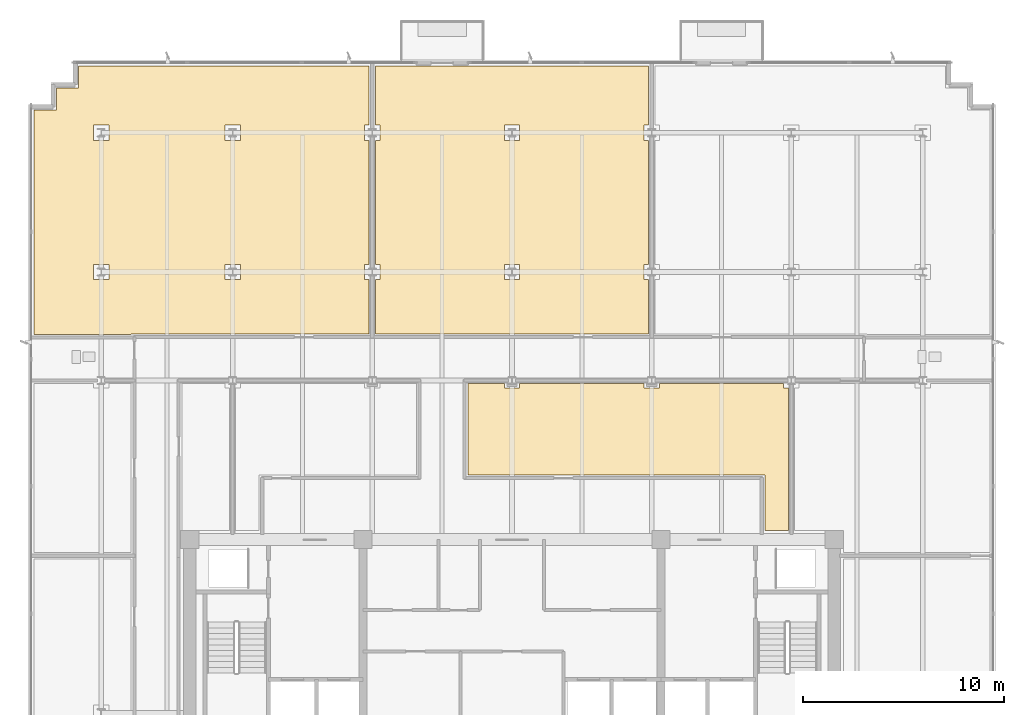
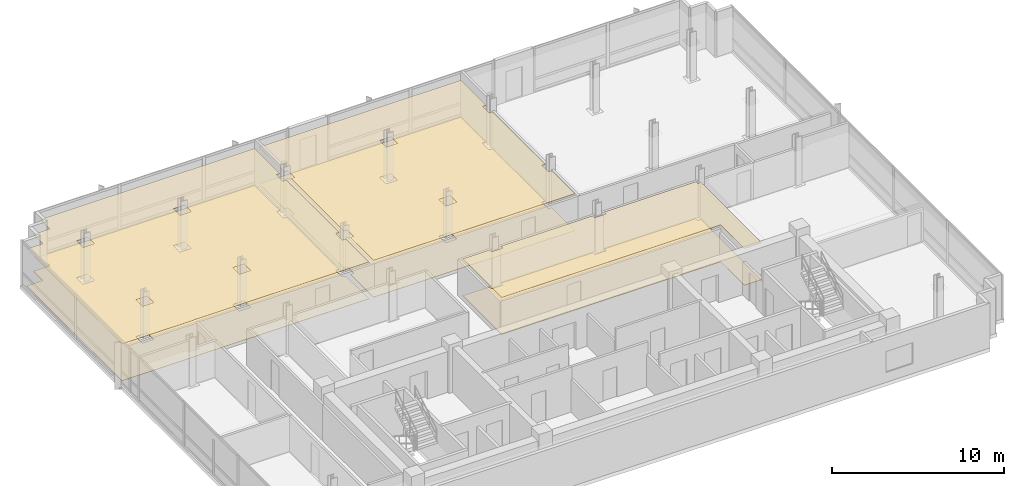
# One storey, part 12 of 15: 6 coverings.
"""IFC4 building model written with IfcOpenShell, lengths in metres."""

from ifc_helpers import new_model, si_unit, direction, frame, origin, place, context, subcontext, project, spatial, polyline, outline, extrude, material, layer, layer_set, type_object, element, save


model = new_model("IFC4")

# Units and contexts
model_context = context("Model", 3, precision=1e-05, world=origin(), true_north=direction((0.0, 1.0)))
body_context = subcontext(model_context, "Body", "Model", "MODEL_VIEW")
ifc_project = project(units=[si_unit("LENGTHUNIT", "METRE"), si_unit("AREAUNIT", "SQUARE_METRE"), si_unit("VOLUMEUNIT", "CUBIC_METRE"), si_unit("PLANEANGLEUNIT", "RADIAN"), si_unit("MASSUNIT", "GRAM", prefix="KILO")], contexts=[model_context])

# Site, building, storey
site_placement = place(None, origin())
site = spatial("IfcSite", under=ifc_project, at=site_placement, CompositionType="ELEMENT")
building_placement = place(site_placement, origin())
building = spatial("IfcBuilding", under=site, at=building_placement, Name="Solmavex Isthmus Hotel", CompositionType="ELEMENT")
storey_placement = place(building_placement, frame((0.0, 0.0, 273.0)))
storey = spatial("IfcBuildingStorey", under=building, at=storey_placement, Name="L74", CompositionType="ELEMENT", Elevation=273.0)

# Coverings
ifc_material_1 = material(Name="Gypsum plasterboard lining", Category="gypsum")
ifc_layer_1 = layer(ifc_material_1, 0.030029296875)
ifc_layer_set_1 = layer_set([ifc_layer_1], Name="Gypsum plasterboard lining")
covering_type_1 = type_object("IfcCoveringType", Name="COV-CEIL-GYP", PredefinedType="CEILING", material=ifc_layer_set_1)
covering_1_placement = place(storey_placement, frame((0.0, 0.0, 2.6201171875)))
element("IfcCovering", 1, at=covering_1_placement, inside=storey, type_object=covering_type_1, Name="Suspended Acoustic Ceiling L74-RM01", PredefinedType="CEILING", context=body_context, shape_type="SweptSolid", body=[
    extrude(outline(polyline([(-18.905029296875, 7.68505859375), (-18.905029296875, 7.705078125), (-7.091064453125, 7.705078125), (-7.091064453125, 10.407958984375), (-7.31591796875, 10.407958984375), (-7.31591796875, 11.16796875), (-7.091064453125, 11.16796875), (-7.091064453125, 17.320068359375), (-7.31591796875, 17.320068359375), (-7.31591796875, 18.080078125), (-7.091064453125, 18.080078125), (-7.091064453125, 21.02490234375), (-21.52490234375, 21.02490234375), (-21.52490234375, 19.925048828125), (-22.625, 19.925048828125), (-22.625, 18.824951171875), (-23.72509765625, 18.824951171875), (-23.72509765625, 7.68505859375), (-18.905029296875, 7.68505859375)]), holes=[polyline([(-14.251953125, 10.407958984375), (-14.251953125, 11.16796875), (-13.491943359375, 11.16796875), (-13.491943359375, 10.407958984375), (-14.251953125, 10.407958984375)]), polyline([(-14.251953125, 17.320068359375), (-14.251953125, 18.080078125), (-13.491943359375, 18.080078125), (-13.491943359375, 17.320068359375), (-14.251953125, 17.320068359375)]), polyline([(-20.780029296875, 10.407958984375), (-20.780029296875, 11.16796875), (-20.02001953125, 11.16796875), (-20.02001953125, 10.407958984375), (-20.780029296875, 10.407958984375)]), polyline([(-20.780029296875, 17.320068359375), (-20.780029296875, 18.080078125), (-20.02001953125, 18.080078125), (-20.02001953125, 17.320068359375), (-20.780029296875, 17.320068359375)])]), origin(), (0.0, 0.0, 1.0), 0.02978515625),
])
covering_2_placement = place(storey_placement, frame((0.0, 0.0, 2.6201171875)))
element("IfcCovering", 2, at=covering_2_placement, inside=storey, type_object=covering_type_1, Name="Suspended Acoustic Ceiling L74-RM02", PredefinedType="CEILING", context=body_context, shape_type="SweptSolid", body=[
    extrude(outline(polyline([(-6.781005859375, 11.16796875), (-6.555908203125, 11.16796875), (-6.555908203125, 10.407958984375), (-6.781005859375, 10.407958984375), (-6.781005859375, 7.705078125), (6.781005859375, 7.705078125), (6.781005859375, 10.407958984375), (6.555908203125, 10.407958984375), (6.555908203125, 11.16796875), (6.781005859375, 11.16796875), (6.781005859375, 17.320068359375), (6.555908203125, 17.320068359375), (6.555908203125, 18.080078125), (6.781005859375, 18.080078125), (6.781005859375, 21.02490234375), (-6.781005859375, 21.02490234375), (-6.781005859375, 18.080078125), (-6.555908203125, 18.080078125), (-6.555908203125, 17.320068359375), (-6.781005859375, 17.320068359375), (-6.781005859375, 11.16796875)]), holes=[polyline([(-0.3798828125, 10.407958984375), (-0.3798828125, 11.16796875), (0.3798828125, 11.16796875), (0.3798828125, 10.407958984375), (-0.3798828125, 10.407958984375)]), polyline([(-0.3798828125, 17.320068359375), (-0.3798828125, 18.080078125), (0.3798828125, 18.080078125), (0.3798828125, 17.320068359375), (-0.3798828125, 17.320068359375)])]), origin(), (0.0, 0.0, 1.0), 0.02978515625),
])
covering_3_placement = place(storey_placement, frame((0.0, 0.0, 2.6201171875)))
element("IfcCovering", 3, at=covering_3_placement, inside=storey, type_object=covering_type_1, Name="Suspended Acoustic Ceiling L74-FL09", PredefinedType="CEILING", context=body_context, shape_type="SweptSolid", body=[
    extrude(outline(polyline([(0.3798828125, 5.2451171875), (0.3798828125, 5.02001953125), (-0.3798828125, 5.02001953125), (-0.3798828125, 5.2451171875), (-2.193115234375, 5.2451171875), (-2.193115234375, 0.705078125), (12.554931640625, 0.705078125), (12.554931640625, -2.044921875), (13.717041015625, -2.044921875), (13.717041015625, 5.02001953125), (13.491943359375, 5.02001953125), (13.491943359375, 5.2451171875), (7.31591796875, 5.2451171875), (7.31591796875, 5.02001953125), (6.555908203125, 5.02001953125), (6.555908203125, 5.2451171875), (0.3798828125, 5.2451171875)])), origin(), (0.0, 0.0, 1.0), 0.02978515625),
])
ifc_material_2 = material(Name="Travertine natural stone", Category="masonry")
ifc_layer_2 = layer(ifc_material_2, 0.02490234375)
ifc_layer_set_2 = layer_set([ifc_layer_2], Name="Travertine natural stone")
covering_type_2 = type_object("IfcCoveringType", Name="COV-FLOR-STN", PredefinedType="FLOORING", material=ifc_layer_set_2)
covering_4_placement = place(storey_placement, origin())
element("IfcCovering", 4, at=covering_4_placement, inside=storey, type_object=covering_type_2, Name="Stone and Timber Floor Finish L74-RM01", PredefinedType="FLOORING", context=body_context, shape_type="SweptSolid", body=[
    extrude(outline(polyline([(-18.905029296875, 7.68505859375), (-18.905029296875, 7.705078125), (-7.091064453125, 7.705078125), (-7.091064453125, 10.407958984375), (-7.31591796875, 10.407958984375), (-7.31591796875, 11.16796875), (-7.091064453125, 11.16796875), (-7.091064453125, 17.320068359375), (-7.31591796875, 17.320068359375), (-7.31591796875, 18.080078125), (-7.091064453125, 18.080078125), (-7.091064453125, 21.02490234375), (-21.52490234375, 21.02490234375), (-21.52490234375, 19.925048828125), (-22.625, 19.925048828125), (-22.625, 18.824951171875), (-23.72509765625, 18.824951171875), (-23.72509765625, 7.68505859375), (-18.905029296875, 7.68505859375)]), holes=[polyline([(-14.251953125, 10.407958984375), (-14.251953125, 11.16796875), (-13.491943359375, 11.16796875), (-13.491943359375, 10.407958984375), (-14.251953125, 10.407958984375)]), polyline([(-14.251953125, 17.320068359375), (-14.251953125, 18.080078125), (-13.491943359375, 18.080078125), (-13.491943359375, 17.320068359375), (-14.251953125, 17.320068359375)]), polyline([(-20.780029296875, 10.407958984375), (-20.780029296875, 11.16796875), (-20.02001953125, 11.16796875), (-20.02001953125, 10.407958984375), (-20.780029296875, 10.407958984375)]), polyline([(-20.780029296875, 17.320068359375), (-20.780029296875, 18.080078125), (-20.02001953125, 18.080078125), (-20.02001953125, 17.320068359375), (-20.780029296875, 17.320068359375)])]), origin(), (0.0, 0.0, 1.0), 0.02490234375),
])
covering_5_placement = place(storey_placement, origin())
element("IfcCovering", 5, at=covering_5_placement, inside=storey, type_object=covering_type_2, Name="Stone and Timber Floor Finish L74-RM02", PredefinedType="FLOORING", context=body_context, shape_type="SweptSolid", body=[
    extrude(outline(polyline([(-6.781005859375, 11.16796875), (-6.555908203125, 11.16796875), (-6.555908203125, 10.407958984375), (-6.781005859375, 10.407958984375), (-6.781005859375, 7.705078125), (6.781005859375, 7.705078125), (6.781005859375, 10.407958984375), (6.555908203125, 10.407958984375), (6.555908203125, 11.16796875), (6.781005859375, 11.16796875), (6.781005859375, 17.320068359375), (6.555908203125, 17.320068359375), (6.555908203125, 18.080078125), (6.781005859375, 18.080078125), (6.781005859375, 21.02490234375), (-6.781005859375, 21.02490234375), (-6.781005859375, 18.080078125), (-6.555908203125, 18.080078125), (-6.555908203125, 17.320068359375), (-6.781005859375, 17.320068359375), (-6.781005859375, 11.16796875)]), holes=[polyline([(-0.3798828125, 10.407958984375), (-0.3798828125, 11.16796875), (0.3798828125, 11.16796875), (0.3798828125, 10.407958984375), (-0.3798828125, 10.407958984375)]), polyline([(-0.3798828125, 17.320068359375), (-0.3798828125, 18.080078125), (0.3798828125, 18.080078125), (0.3798828125, 17.320068359375), (-0.3798828125, 17.320068359375)])]), origin(), (0.0, 0.0, 1.0), 0.02490234375),
])
covering_6_placement = place(storey_placement, origin())
element("IfcCovering", 6, at=covering_6_placement, inside=storey, type_object=covering_type_2, Name="Stone and Timber Floor Finish L74-FL09", PredefinedType="FLOORING", context=body_context, shape_type="SweptSolid", body=[
    extrude(outline(polyline([(0.3798828125, 5.2451171875), (0.3798828125, 5.02001953125), (-0.3798828125, 5.02001953125), (-0.3798828125, 5.2451171875), (-2.193115234375, 5.2451171875), (-2.193115234375, 0.705078125), (12.554931640625, 0.705078125), (12.554931640625, -2.044921875), (13.717041015625, -2.044921875), (13.717041015625, 5.02001953125), (13.491943359375, 5.02001953125), (13.491943359375, 5.2451171875), (7.31591796875, 5.2451171875), (7.31591796875, 5.02001953125), (6.555908203125, 5.02001953125), (6.555908203125, 5.2451171875), (0.3798828125, 5.2451171875)])), origin(), (0.0, 0.0, 1.0), 0.02490234375),
])

save(model, "model.ifc")
